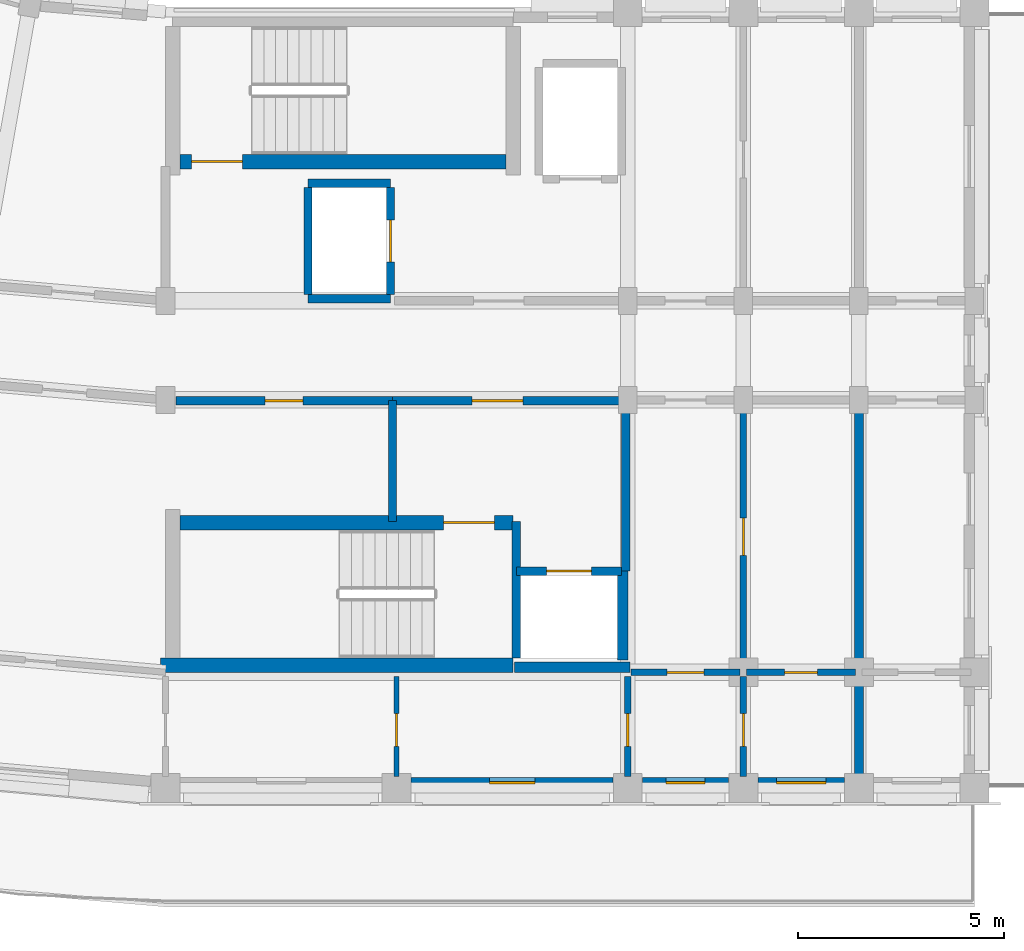
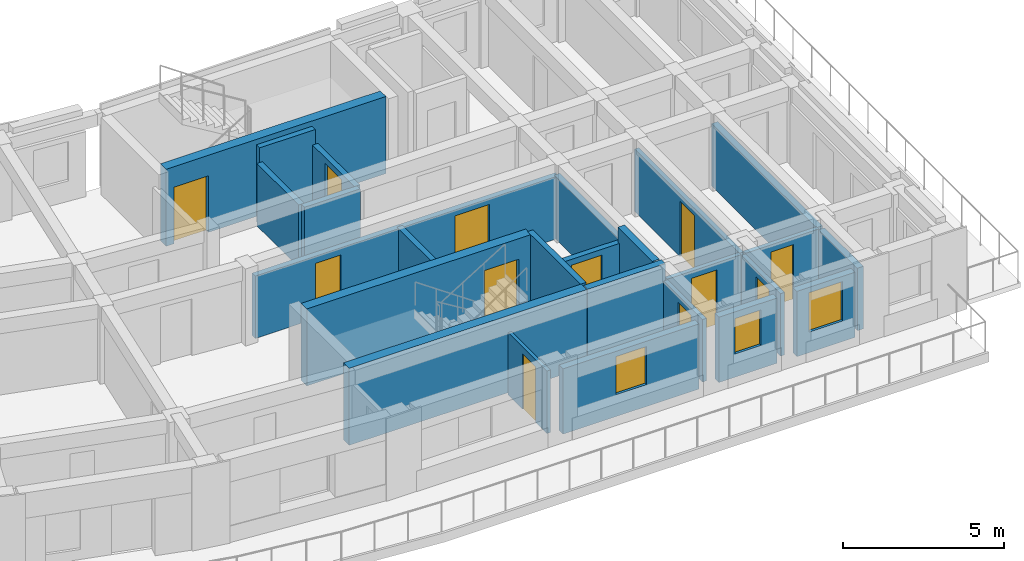
# One storey, part 18 of 54: 26 walls, 12 doors, 3 windows, 15 openings.
"""IFC4 building model written with IfcOpenShell, lengths in metres."""

from ifc_helpers import new_model, si_unit, direction, frame, frame_2d, origin, place, context, subcontext, project, spatial, rectangle, extrude, material, layer, layer_set, type_object, element, fill, save


model = new_model("IFC4")

# Units and contexts
model_context = context("Model", 3, precision=1e-05, world=origin(), true_north=direction((0.0, 1.0)))
body_context = subcontext(model_context, "Body", "Model", "MODEL_VIEW")
ifc_project = project(units=[si_unit("LENGTHUNIT", "METRE"), si_unit("AREAUNIT", "SQUARE_METRE"), si_unit("VOLUMEUNIT", "CUBIC_METRE"), si_unit("PLANEANGLEUNIT", "RADIAN"), si_unit("MASSUNIT", "GRAM", prefix="KILO")], contexts=[model_context])

# Site, building, storey
site_placement = place(None, origin())
site = spatial("IfcSite", under=ifc_project, at=site_placement, CompositionType="ELEMENT")
building_placement = place(site_placement, origin())
building = spatial("IfcBuilding", under=site, at=building_placement, Name="Kiranvali Square Residences", CompositionType="ELEMENT")
storey_placement = place(building_placement, frame((0.0, 0.0, 27.60009765625)))
storey = spatial("IfcBuildingStorey", under=building, at=storey_placement, Name="L08", CompositionType="ELEMENT", Elevation=27.60009765625)

# Walls
ifc_material_1 = material(Name="Autoclaved aerated concrete blockwork masonry", Category="masonry")
ifc_layer_1 = layer(ifc_material_1, 0.219970703125)
ifc_layer_set_1 = layer_set([ifc_layer_1], Name="Autoclaved aerated concrete blockwork masonry")
wall_type_1 = type_object("IfcWallType", Name="WL-DEM-220", PredefinedType="STANDARD", material=ifc_layer_set_1)
wall_1_placement = place(storey_placement, frame((65.0, 19.949951171875, 0.0), z_axis=(0.0, 0.0, 1.0), x_axis=(0.0, -1.0, 0.0)))
element("IfcWall", 1, at=wall_1_placement, inside=storey, type_object=wall_type_1, Name="L08 architectural wall WL-L08-C-A1TO1-2", PredefinedType="STANDARD", context=body_context, shape_type="SweptSolid", body=[
    extrude(rectangle(XDim=6.530029296875, YDim=0.219970703125, at=frame_2d((3.26513671875, 0.0))), origin(), (0.0, 0.0, 1.0), 2.371826171875),
])
wall_2_placement = place(storey_placement, frame((65.0, 13.300048828125, 0.0), z_axis=(0.0, 0.0, 1.0), x_axis=(0.0, -1.0, 0.0)))
element("IfcWall", 2, at=wall_2_placement, inside=storey, type_object=wall_type_1, Name="L08 architectural wall WL-L08-C-A1TO2-2", PredefinedType="STANDARD", context=body_context, shape_type="SweptSolid", body=[
    extrude(rectangle(XDim=2.420166015625, YDim=0.219970703125, at=frame_2d((1.2099609375, 0.0))), origin(), (0.0, 0.0, 1.0), 2.371826171875),
])

# Wall, opening, window
ifc_material_2 = material(Name="Breathable lime-rendered clay brick masonry", Category="masonry")
ifc_layer_2 = layer(ifc_material_2, 0.25)
ifc_layer_set_2 = layer_set([ifc_layer_2], Name="Breathable lime-rendered clay brick masonry")
wall_type_2 = type_object("IfcWallType", Name="WL-EXT-250", PredefinedType="STANDARD", material=ifc_layer_set_2)
wall_3_placement = place(storey_placement, frame((54.153564453125, 10.72509765625, 0.0), z_axis=(0.0, 0.0, 1.0), x_axis=(1.0, 0.0, 0.0)))
wall_3 = element("IfcWall", 3, at=wall_3_placement, inside=storey, type_object=wall_type_2, Name="L08 exterior wall C-L08-A1O-1", PredefinedType="STANDARD", context=body_context, shape_type="SweptSolid", body=[
    extrude(rectangle(XDim=4.892822265625, YDim=0.25, at=frame_2d((2.4462890625, 0.0))), origin(), (0.0, 0.0, 1.0), 2.47998046875),
])
opening_1_placement = place(wall_3_placement, frame((1.896484375, 0.0, 0.830078125)))
opening_1 = element("IfcOpeningElement", 4, at=opening_1_placement, cuts=wall_3, Name="Opening W-15", PredefinedType="OPENING", context=body_context, shape_type="SweptSolid", body=[
    extrude(rectangle(XDim=1.10009765625, YDim=1.449951171875, at=frame_2d((0.550048828125, 0.72509765625))), frame((0.0, 0.135009765625, 0.0), z_axis=(0.0, -1.0, 0.0), x_axis=(1.0, 0.0, 0.0)), (0.0, 0.0, 1.0), 0.27001953125),
])
ifc_material_3 = material(Name="Solar-control low-e double glazing", Category="glass")
window_type_1 = type_object("IfcWindowType", Name="WIN-RES-1100x1450", PartitioningType="SINGLE_PANEL", PredefinedType="WINDOW", material=ifc_material_3)
window_1_placement = place(opening_1_placement, origin())
window_1 = element("IfcWindow", 5, at=window_1_placement, inside=storey, type_object=window_type_1, Name="L08 recessed window C-L08-A1O-1", OverallHeight=1.449951171875, OverallWidth=1.10009765625, PartitioningType="SINGLE_PANEL", PredefinedType="WINDOW", context=body_context, shape_type="SweptSolid", body=[
    extrude(rectangle(XDim=1.10009765625, YDim=1.449951171875, at=frame_2d((0.550048828125, 0.72509765625))), frame((0.0, 0.030029296875, 0.0), z_axis=(0.0, -1.0, 0.0), x_axis=(1.0, 0.0, 0.0)), (0.0, 0.0, 1.0), 0.06005859375),
])
fill(opening_1, window_1)

wall_4_placement = place(storey_placement, frame((59.75341796875, 10.72509765625, 0.0), z_axis=(0.0, 0.0, 1.0), x_axis=(1.0, 0.0, 0.0)))
wall_4 = element("IfcWall", 6, at=wall_4_placement, inside=storey, type_object=wall_type_2, Name="L08 exterior wall C-L08-A1O-2", PredefinedType="STANDARD", context=body_context, shape_type="SweptSolid", body=[
    extrude(rectangle(XDim=2.093017578125, YDim=0.25, at=frame_2d((1.04638671875, 0.0))), origin(), (0.0, 0.0, 1.0), 2.47998046875),
])
opening_2_placement = place(wall_4_placement, frame((0.571533203125, 0.0, 0.8798828125)))
opening_2 = element("IfcOpeningElement", 7, at=opening_2_placement, cuts=wall_4, Name="Opening W-16", PredefinedType="OPENING", context=body_context, shape_type="SweptSolid", body=[
    extrude(rectangle(XDim=0.949951171875, YDim=1.35009765625, at=frame_2d((0.47509765625, 0.675048828125))), frame((0.0, 0.135009765625, 0.0), z_axis=(0.0, -1.0, 0.0), x_axis=(1.0, 0.0, 0.0)), (0.0, 0.0, 1.0), 0.27001953125),
])
window_type_2 = type_object("IfcWindowType", Name="WIN-RES-950x1350", PartitioningType="SINGLE_PANEL", PredefinedType="WINDOW", material=ifc_material_3)
window_2_placement = place(opening_2_placement, origin())
window_2 = element("IfcWindow", 8, at=window_2_placement, inside=storey, type_object=window_type_2, Name="L08 recessed window C-L08-A1O-2", OverallHeight=1.35009765625, OverallWidth=0.949951171875, PartitioningType="SINGLE_PANEL", PredefinedType="WINDOW", context=body_context, shape_type="SweptSolid", body=[
    extrude(rectangle(XDim=0.949951171875, YDim=1.35009765625, at=frame_2d((0.47509765625, 0.675048828125))), frame((0.0, 0.030029296875, 0.0), z_axis=(0.0, -1.0, 0.0), x_axis=(1.0, 0.0, 0.0)), (0.0, 0.0, 1.0), 0.06005859375),
])
fill(opening_2, window_2)

wall_5_placement = place(storey_placement, frame((62.553466796875, 10.72509765625, 0.0), z_axis=(0.0, 0.0, 1.0), x_axis=(1.0, 0.0, 0.0)))
wall_5 = element("IfcWall", 9, at=wall_5_placement, inside=storey, type_object=wall_type_2, Name="L08 exterior wall C-L08-A1O-3", PredefinedType="STANDARD", context=body_context, shape_type="SweptSolid", body=[
    extrude(rectangle(XDim=2.093017578125, YDim=0.25, at=frame_2d((1.04638671875, 0.0))), origin(), (0.0, 0.0, 1.0), 2.47998046875),
])
opening_3_placement = place(wall_5_placement, frame((0.446533203125, 0.0, 0.780029296875)))
opening_3 = element("IfcOpeningElement", 10, at=opening_3_placement, cuts=wall_5, Name="Opening W-06", PredefinedType="OPENING", context=body_context, shape_type="SweptSolid", body=[
    extrude(rectangle(XDim=1.199951171875, YDim=1.5, at=frame_2d((0.60009765625, 0.75))), frame((0.0, 0.135009765625, 0.0), z_axis=(0.0, -1.0, 0.0), x_axis=(1.0, 0.0, 0.0)), (0.0, 0.0, 1.0), 0.27001953125),
])
window_type_3 = type_object("IfcWindowType", Name="WIN-RES-1200x1500", PartitioningType="SINGLE_PANEL", PredefinedType="WINDOW", material=ifc_material_3)
window_3_placement = place(opening_3_placement, origin())
window_3 = element("IfcWindow", 11, at=window_3_placement, inside=storey, type_object=window_type_3, Name="L08 recessed window C-L08-A1O-3", OverallHeight=1.5, OverallWidth=1.199951171875, PartitioningType="SINGLE_PANEL", PredefinedType="WINDOW", context=body_context, shape_type="SweptSolid", body=[
    extrude(rectangle(XDim=1.199951171875, YDim=1.5, at=frame_2d((0.60009765625, 0.75))), frame((0.0, 0.030029296875, 0.0), z_axis=(0.0, -1.0, 0.0), x_axis=(1.0, 0.0, 0.0)), (0.0, 0.0, 1.0), 0.06005859375),
])
fill(opening_3, window_3)

# Wall, opening, door
ifc_layer_3 = layer(ifc_material_1, 0.199951171875)
ifc_layer_set_3 = layer_set([ifc_layer_3], Name="Autoclaved aerated concrete blockwork masonry")
wall_type_3 = type_object("IfcWallType", Name="WL-FFL-200", PredefinedType="STANDARD", material=ifc_layer_set_3)
wall_6_placement = place(storey_placement, frame((53.699951171875, 19.97998046875, 0.0), z_axis=(0.0, 0.0, 1.0), x_axis=(1.0, 0.0, 0.0)))
wall_6 = element("IfcWall", 12, at=wall_6_placement, inside=storey, type_object=wall_type_3, Name="L08 architectural wall WL-L08-C-FF-COR", PredefinedType="STANDARD", context=body_context, shape_type="SweptSolid", body=[
    extrude(rectangle(XDim=5.650146484375, YDim=0.199951171875, at=frame_2d((2.8251953125, 0.0))), origin(), (0.0, 0.0, 1.0), 2.371826171875),
])
opening_4_placement = place(wall_6_placement, frame((1.922607421875, 0.0, 0.0)))
opening_4 = element("IfcOpeningElement", 13, at=opening_4_placement, cuts=wall_6, Name="Opening FD-ST-120", PredefinedType="OPENING", context=body_context, shape_type="SweptSolid", body=[
    extrude(rectangle(XDim=1.239990234375, YDim=2.14990234375, at=frame_2d((0.6201171875, 1.074951171875))), frame((0.0, 0.10986328125, 0.0), z_axis=(0.0, -1.0, 0.0), x_axis=(1.0, 0.0, 0.0)), (0.0, 0.0, 1.0), 0.219970703125),
])
ifc_material_4 = material(Name="Fire-rated acoustic hardwood and mineral-core door assembly", Category="wood")
door_type_1 = type_object("IfcDoorType", Name="DR-FD120-1200", OperationType="NOTDEFINED", PredefinedType="DOOR", material=ifc_material_4)
door_1_placement = place(opening_4_placement, origin())
door_1 = element("IfcDoor", 14, at=door_1_placement, inside=storey, type_object=door_type_1, Name="L08 door DR-L08-2199 (DR-FD120-1200)", OperationType="SINGLE_SWING_LEFT", OverallHeight=2.14990234375, OverallWidth=1.239990234375, PredefinedType="DOOR", context=body_context, shape_type="SweptSolid", body=[
    extrude(rectangle(XDim=1.239990234375, YDim=2.14990234375, at=frame_2d((0.6201171875, 1.074951171875))), frame((0.0, 0.02490234375, 0.0), z_axis=(0.0, -1.0, 0.0), x_axis=(1.0, 0.0, 0.0)), (0.0, 0.0, 1.0), 0.050048828125),
])
fill(opening_4, door_1)

# Walls
wall_7_placement = place(storey_placement, frame((53.699951171875, 19.97998046875, 0.0), z_axis=(0.0, 0.0, 1.0), x_axis=(0.0, -1.0, 0.0)))
element("IfcWall", 15, at=wall_7_placement, inside=storey, type_object=wall_type_3, Name="L08 architectural wall WL-L08-C-FF-DIV", PredefinedType="STANDARD", context=body_context, shape_type="SweptSolid", body=[
    extrude(rectangle(XDim=2.929931640625, YDim=0.199951171875, at=frame_2d((1.46484375, 0.0))), origin(), (0.0, 0.0, 1.0), 2.371826171875),
])
wall_8_placement = place(storey_placement, frame((59.35009765625, 19.97998046875, 0.0), z_axis=(0.0, 0.0, 1.0), x_axis=(0.0, -1.0, 0.0)))
element("IfcWall", 16, at=wall_8_placement, inside=storey, type_object=wall_type_3, Name="L08 architectural wall WL-L08-C-FF-END", PredefinedType="STANDARD", context=body_context, shape_type="SweptSolid", body=[
    extrude(rectangle(XDim=4.1298828125, YDim=0.199951171875, at=frame_2d((2.06494140625, 0.0))), origin(), (0.0, 0.0, 1.0), 2.371826171875),
])

# Wall, opening, door
wall_9_placement = place(storey_placement, frame((56.699951171875, 15.85009765625, 0.0), z_axis=(0.0, 0.0, 1.0), x_axis=(1.0, 0.0, 0.0)))
wall_9 = element("IfcWall", 17, at=wall_9_placement, inside=storey, type_object=wall_type_3, Name="L08 architectural wall WL-L08-C-FF-LFT", PredefinedType="STANDARD", context=body_context, shape_type="SweptSolid", body=[
    extrude(rectangle(XDim=2.550048828125, YDim=0.199951171875, at=frame_2d((1.27490234375, 0.0))), origin(), (0.0, 0.0, 1.0), 2.371826171875),
])
opening_5_placement = place(wall_9_placement, frame((0.72509765625, 0.0, 0.0)))
opening_5 = element("IfcOpeningElement", 18, at=opening_5_placement, cuts=wall_9, Name="Opening LD-FF-110", PredefinedType="OPENING", context=body_context, shape_type="SweptSolid", body=[
    extrude(rectangle(XDim=1.10009765625, YDim=2.14990234375, at=frame_2d((0.550048828125, 1.074951171875))), frame((0.0, 0.10986328125, 0.0), z_axis=(0.0, -1.0, 0.0), x_axis=(1.0, 0.0, 0.0)), (0.0, 0.0, 1.0), 0.219970703125),
])
door_type_2 = type_object("IfcDoorType", Name="DR-LIFT-FF-1100", OperationType="SLIDING_TO_LEFT", PredefinedType="DOOR", material=ifc_material_4)
door_2_placement = place(opening_5_placement, origin())
door_2 = element("IfcDoor", 19, at=door_2_placement, inside=storey, type_object=door_type_2, Name="L08 door DR-L08-2201 (DR-LIFT-FF-1100)", OperationType="SLIDING_TO_LEFT", OverallHeight=2.14990234375, OverallWidth=1.10009765625, PredefinedType="DOOR", context=body_context, shape_type="SweptSolid", body=[
    extrude(rectangle(XDim=1.10009765625, YDim=2.14990234375, at=frame_2d((0.550048828125, 1.074951171875))), frame((0.0, 0.02490234375, 0.0), z_axis=(0.0, -1.0, 0.0), x_axis=(1.0, 0.0, 0.0)), (0.0, 0.0, 1.0), 0.050048828125),
])
fill(opening_5, door_2)

ifc_material_5 = material(Name="Acoustic gypsum board drylined partition", Category="gypsum")
ifc_layer_4 = layer(ifc_material_5, 0.125)
ifc_layer_set_4 = layer_set([ifc_layer_4], Name="Acoustic gypsum board drylined partition")
wall_type_4 = type_object("IfcWallType", Name="WL-PRT-125", PredefinedType="PARTITIONING", material=ifc_layer_set_4)
wall_10_placement = place(storey_placement, frame((53.800048828125, 13.300048828125, 0.0), z_axis=(0.0, 0.0, 1.0), x_axis=(0.0, -1.0, 0.0)))
wall_10 = element("IfcWall", 20, at=wall_10_placement, inside=storey, type_object=wall_type_4, Name="L08 architectural wall WL-L08-C-CF-MID", PredefinedType="PARTITIONING", context=body_context, shape_type="SweptSolid", body=[
    extrude(rectangle(XDim=2.420166015625, YDim=0.125, at=frame_2d((1.2099609375, 0.0))), origin(), (0.0, 0.0, 1.0), 2.371826171875),
])
opening_6_placement = place(wall_10_placement, frame((0.89990234375, 0.0, 0.0)))
opening_6 = element("IfcOpeningElement", 21, at=opening_6_placement, cuts=wall_10, Name="Opening ID-WET", PredefinedType="OPENING", context=body_context, shape_type="SweptSolid", body=[
    extrude(rectangle(XDim=0.800048828125, YDim=2.10009765625, at=frame_2d((0.39990234375, 1.050048828125))), frame((0.0, 0.072509765625, 0.0), z_axis=(0.0, -1.0, 0.0), x_axis=(1.0, 0.0, 0.0)), (0.0, 0.0, 1.0), 0.14501953125),
])
ifc_material_6 = material(Name="Solid seasoned teak hardwood joinery", Category="wood")
door_type_3 = type_object("IfcDoorType", Name="DR-WET-800", OperationType="NOTDEFINED", PredefinedType="DOOR", material=ifc_material_6)
door_3_placement = place(opening_6_placement, frame((0.800048828125, 0.0, 0.0), z_axis=(0.0, 0.0, 1.0), x_axis=(-1.0, 0.0, 0.0)))
door_3 = element("IfcDoor", 22, at=door_3_placement, inside=storey, type_object=door_type_3, Name="L08 door DR-L08-2210 (DR-WET-800)", OperationType="SINGLE_SWING_RIGHT", OverallHeight=2.10009765625, OverallWidth=0.800048828125, PredefinedType="DOOR", context=body_context, shape_type="SweptSolid", body=[
    extrude(rectangle(XDim=0.800048828125, YDim=2.10009765625, at=frame_2d((0.39990234375, 1.050048828125))), frame((0.0, 0.02490234375, 0.0), z_axis=(0.0, -1.0, 0.0), x_axis=(1.0, 0.0, 0.0)), (0.0, 0.0, 1.0), 0.050048828125),
])
fill(opening_6, door_3)

ifc_layer_5 = layer(ifc_material_5, 0.14990234375)
ifc_layer_set_5 = layer_set([ifc_layer_5], Name="Acoustic gypsum board drylined partition")
wall_type_5 = type_object("IfcWallType", Name="WL-PRT-150", PredefinedType="PARTITIONING", material=ifc_layer_set_5)
wall_11_placement = place(storey_placement, frame((59.39990234375, 13.300048828125, 0.0), z_axis=(0.0, 0.0, 1.0), x_axis=(0.0, -1.0, 0.0)))
wall_11 = element("IfcWall", 23, at=wall_11_placement, inside=storey, type_object=wall_type_5, Name="L08 architectural wall WL-L08-C-A1TO2-0", PredefinedType="PARTITIONING", context=body_context, shape_type="SweptSolid", body=[
    extrude(rectangle(XDim=2.420166015625, YDim=0.14990234375, at=frame_2d((1.2099609375, 0.0))), origin(), (0.0, 0.0, 1.0), 2.371826171875),
])
opening_7_placement = place(wall_11_placement, frame((0.89990234375, 0.0, 0.0)))
opening_7 = element("IfcOpeningElement", 24, at=opening_7_placement, cuts=wall_11, Name="Opening ID-WET", PredefinedType="OPENING", context=body_context, shape_type="SweptSolid", body=[
    extrude(rectangle(XDim=0.800048828125, YDim=2.10009765625, at=frame_2d((0.39990234375, 1.050048828125))), frame((0.0, 0.0849609375, 0.0), z_axis=(0.0, -1.0, 0.0), x_axis=(1.0, 0.0, 0.0)), (0.0, 0.0, 1.0), 0.169921875),
])
door_4_placement = place(opening_7_placement, frame((0.800048828125, 0.0, 0.0), z_axis=(0.0, 0.0, 1.0), x_axis=(-1.0, 0.0, 0.0)))
door_4 = element("IfcDoor", 25, at=door_4_placement, inside=storey, type_object=door_type_3, Name="L08 door DR-L08-2218 (DR-WET-800)", OperationType="SINGLE_SWING_RIGHT", OverallHeight=2.10009765625, OverallWidth=0.800048828125, PredefinedType="DOOR", context=body_context, shape_type="SweptSolid", body=[
    extrude(rectangle(XDim=0.800048828125, YDim=2.10009765625, at=frame_2d((0.39990234375, 1.050048828125))), frame((0.0, 0.02490234375, 0.0), z_axis=(0.0, -1.0, 0.0), x_axis=(1.0, 0.0, 0.0)), (0.0, 0.0, 1.0), 0.050048828125),
])
fill(opening_7, door_4)

wall_12_placement = place(storey_placement, frame((62.199951171875, 19.949951171875, 0.0), z_axis=(0.0, 0.0, 1.0), x_axis=(0.0, -1.0, 0.0)))
wall_12 = element("IfcWall", 26, at=wall_12_placement, inside=storey, type_object=wall_type_5, Name="L08 architectural wall WL-L08-C-A1TO1-1", PredefinedType="PARTITIONING", context=body_context, shape_type="SweptSolid", body=[
    extrude(rectangle(XDim=6.530029296875, YDim=0.14990234375, at=frame_2d((3.26513671875, 0.0))), origin(), (0.0, 0.0, 1.0), 2.371826171875),
])
opening_8_placement = place(wall_12_placement, frame((2.81494140625, 0.0, 0.0)))
opening_8 = element("IfcOpeningElement", 27, at=opening_8_placement, cuts=wall_12, Name="Opening ID-1", PredefinedType="OPENING", context=body_context, shape_type="SweptSolid", body=[
    extrude(rectangle(XDim=0.89990234375, YDim=2.10009765625, at=frame_2d((0.449951171875, 1.050048828125))), frame((0.0, 0.0849609375, 0.0), z_axis=(0.0, -1.0, 0.0), x_axis=(1.0, 0.0, 0.0)), (0.0, 0.0, 1.0), 0.169921875),
])
door_type_4 = type_object("IfcDoorType", Name="DR-INT-900", OperationType="NOTDEFINED", PredefinedType="DOOR", material=ifc_material_6)
door_5_placement = place(opening_8_placement, frame((0.89990234375, 0.0, 0.0), z_axis=(0.0, 0.0, 1.0), x_axis=(-1.0, 0.0, 0.0)))
door_5 = element("IfcDoor", 28, at=door_5_placement, inside=storey, type_object=door_type_4, Name="L08 door DR-L08-2220 (DR-INT-900)", OperationType="SINGLE_SWING_RIGHT", OverallHeight=2.10009765625, OverallWidth=0.89990234375, PredefinedType="DOOR", context=body_context, shape_type="SweptSolid", body=[
    extrude(rectangle(XDim=0.89990234375, YDim=2.10009765625, at=frame_2d((0.449951171875, 1.050048828125))), frame((0.0, 0.02490234375, 0.0), z_axis=(0.0, -1.0, 0.0), x_axis=(1.0, 0.0, 0.0)), (0.0, 0.0, 1.0), 0.050048828125),
])
fill(opening_8, door_5)

wall_13_placement = place(storey_placement, frame((62.199951171875, 13.300048828125, 0.0), z_axis=(0.0, 0.0, 1.0), x_axis=(0.0, -1.0, 0.0)))
wall_13 = element("IfcWall", 29, at=wall_13_placement, inside=storey, type_object=wall_type_5, Name="L08 architectural wall WL-L08-C-A1TO2-1", PredefinedType="PARTITIONING", context=body_context, shape_type="SweptSolid", body=[
    extrude(rectangle(XDim=2.420166015625, YDim=0.14990234375, at=frame_2d((1.2099609375, 0.0))), origin(), (0.0, 0.0, 1.0), 2.371826171875),
])
opening_9_placement = place(wall_13_placement, frame((0.89990234375, 0.0, 0.0)))
opening_9 = element("IfcOpeningElement", 30, at=opening_9_placement, cuts=wall_13, Name="Opening ID-WET", PredefinedType="OPENING", context=body_context, shape_type="SweptSolid", body=[
    extrude(rectangle(XDim=0.800048828125, YDim=2.10009765625, at=frame_2d((0.39990234375, 1.050048828125))), frame((0.0, 0.0849609375, 0.0), z_axis=(0.0, -1.0, 0.0), x_axis=(1.0, 0.0, 0.0)), (0.0, 0.0, 1.0), 0.169921875),
])
door_6_placement = place(opening_9_placement, origin())
door_6 = element("IfcDoor", 31, at=door_6_placement, inside=storey, type_object=door_type_3, Name="L08 door DR-L08-2221 (DR-WET-800)", OperationType="SINGLE_SWING_LEFT", OverallHeight=2.10009765625, OverallWidth=0.800048828125, PredefinedType="DOOR", context=body_context, shape_type="SweptSolid", body=[
    extrude(rectangle(XDim=0.800048828125, YDim=2.10009765625, at=frame_2d((0.39990234375, 1.050048828125))), frame((0.0, 0.02490234375, 0.0), z_axis=(0.0, -1.0, 0.0), x_axis=(1.0, 0.0, 0.0)), (0.0, 0.0, 1.0), 0.050048828125),
])
fill(opening_9, door_6)

ifc_layer_6 = layer(ifc_material_1, 0.199951171875)
ifc_layer_set_6 = layer_set([ifc_layer_6], Name="Autoclaved aerated concrete blockwork masonry")
wall_type_6 = type_object("IfcWallType", Name="WL-SHF-200", PredefinedType="STANDARD", material=ifc_layer_set_6)
wall_14_placement = place(storey_placement, frame((48.449951171875, 19.97998046875, 0.0), z_axis=(0.0, 0.0, 1.0), x_axis=(1.0, 0.0, 0.0)))
wall_14 = element("IfcWall", 32, at=wall_14_placement, inside=storey, type_object=wall_type_6, Name="L08 architectural wall WL-L08-C-RSR-COR", PredefinedType="STANDARD", context=body_context, shape_type="SweptSolid", body=[
    extrude(rectangle(XDim=5.25, YDim=0.199951171875, at=frame_2d((2.625, 0.0))), origin(), (0.0, 0.0, 1.0), 2.371826171875),
])
opening_10_placement = place(wall_14_placement, frame((2.1650390625, 0.0, 0.0)))
opening_10 = element("IfcOpeningElement", 33, at=opening_10_placement, cuts=wall_14, Name="Opening FD-SVC-120", PredefinedType="OPENING", context=body_context, shape_type="SweptSolid", body=[
    extrude(rectangle(XDim=0.919921875, YDim=2.10009765625, at=frame_2d((0.4599609375, 1.050048828125))), frame((0.0, 0.10986328125, 0.0), z_axis=(0.0, -1.0, 0.0), x_axis=(1.0, 0.0, 0.0)), (0.0, 0.0, 1.0), 0.219970703125),
])
door_type_5 = type_object("IfcDoorType", Name="DR-SVC-900", OperationType="NOTDEFINED", PredefinedType="DOOR", material=ifc_material_4)
door_7_placement = place(opening_10_placement, frame((0.919921875, 0.0, 0.0), z_axis=(0.0, 0.0, 1.0), x_axis=(-1.0, 0.0, 0.0)))
door_7 = element("IfcDoor", 34, at=door_7_placement, inside=storey, type_object=door_type_5, Name="L08 door DR-L08-2200 (DR-SVC-900)", OperationType="SINGLE_SWING_RIGHT", OverallHeight=2.10009765625, OverallWidth=0.919921875, PredefinedType="DOOR", context=body_context, shape_type="SweptSolid", body=[
    extrude(rectangle(XDim=0.919921875, YDim=2.10009765625, at=frame_2d((0.4599609375, 1.050048828125))), frame((0.0, 0.02490234375, 0.0), z_axis=(0.0, -1.0, 0.0), x_axis=(1.0, 0.0, 0.0)), (0.0, 0.0, 1.0), 0.050048828125),
])
fill(opening_10, door_7)

# Walls
wall_15_placement = place(storey_placement, frame((56.699951171875, 17.050048828125, 0.0), z_axis=(0.0, 0.0, 1.0), x_axis=(0.0, -1.0, 0.0)))
element("IfcWall", 35, at=wall_15_placement, inside=storey, type_object=wall_type_6, Name="L08 architectural wall WL-L08-C-FF-SHF", PredefinedType="STANDARD", context=body_context, shape_type="SweptSolid", body=[
    extrude(rectangle(XDim=3.300048828125, YDim=0.199951171875, at=frame_2d((1.64990234375, 0.0))), origin(), (0.0, 0.0, 1.0), 2.929931640625),
])
wall_16_placement = place(storey_placement, frame((51.64990234375, 25.25, 0.0), z_axis=(0.0, 0.0, 1.0), x_axis=(1.0, 0.0, 0.0)))
element("IfcWall", 36, at=wall_16_placement, inside=storey, type_object=wall_type_6, Name="L08 architectural wall WL-L08-C-LP2-S0", PredefinedType="STANDARD", context=body_context, shape_type="SweptSolid", body=[
    extrude(rectangle(XDim=2.0, YDim=0.199951171875, at=frame_2d((1.0, 0.0))), origin(), (0.0, 0.0, 1.0), 2.929931640625),
])
wall_17_placement = place(storey_placement, frame((51.64990234375, 22.449951171875, 0.0), z_axis=(0.0, 0.0, 1.0), x_axis=(1.0, 0.0, 0.0)))
element("IfcWall", 37, at=wall_17_placement, inside=storey, type_object=wall_type_6, Name="L08 architectural wall WL-L08-C-LP2-B", PredefinedType="STANDARD", context=body_context, shape_type="SweptSolid", body=[
    extrude(rectangle(XDim=2.0, YDim=0.199951171875, at=frame_2d((1.0, 0.0))), origin(), (0.0, 0.0, 1.0), 2.371826171875),
])
wall_18_placement = place(storey_placement, frame((51.64990234375, 25.14990234375, 0.0), z_axis=(0.0, 0.0, 1.0), x_axis=(0.0, -1.0, 0.0)))
element("IfcWall", 38, at=wall_18_placement, inside=storey, type_object=wall_type_6, Name="L08 architectural wall WL-L08-C-LP2-S1", PredefinedType="STANDARD", context=body_context, shape_type="SweptSolid", body=[
    extrude(rectangle(XDim=2.599853515625, YDim=0.199951171875, at=frame_2d((1.2998046875, 0.0))), origin(), (0.0, 0.0, 1.0), 2.371826171875),
])

# Wall, opening, door
wall_19_placement = place(storey_placement, frame((53.64990234375, 25.14990234375, 0.0), z_axis=(0.0, 0.0, 1.0), x_axis=(0.0, -1.0, 0.0)))
wall_19 = element("IfcWall", 39, at=wall_19_placement, inside=storey, type_object=wall_type_6, Name="L08 architectural wall WL-L08-C-LP2-F", PredefinedType="STANDARD", context=body_context, shape_type="SweptSolid", body=[
    extrude(rectangle(XDim=2.599853515625, YDim=0.199951171875, at=frame_2d((1.2998046875, 0.0))), origin(), (0.0, 0.0, 1.0), 2.371826171875),
])
opening_11_placement = place(wall_19_placement, frame((0.7900390625, 0.0, 0.0)))
opening_11 = element("IfcOpeningElement", 40, at=opening_11_placement, cuts=wall_19, Name="Opening LD-PAX-100", PredefinedType="OPENING", context=body_context, shape_type="SweptSolid", body=[
    extrude(rectangle(XDim=1.02001953125, YDim=2.14990234375, at=frame_2d((0.510009765625, 1.074951171875))), frame((0.0, 0.10986328125, 0.0), z_axis=(0.0, -1.0, 0.0), x_axis=(1.0, 0.0, 0.0)), (0.0, 0.0, 1.0), 0.219970703125),
])
door_type_6 = type_object("IfcDoorType", Name="DR-LIFT-1000", OperationType="SLIDING_TO_RIGHT", PredefinedType="DOOR", material=ifc_material_4)
door_8_placement = place(opening_11_placement, origin())
door_8 = element("IfcDoor", 41, at=door_8_placement, inside=storey, type_object=door_type_6, Name="L08 door DR-L08-2206 (DR-LIFT-1000)", OperationType="SLIDING_TO_RIGHT", OverallHeight=2.14990234375, OverallWidth=1.02001953125, PredefinedType="DOOR", context=body_context, shape_type="SweptSolid", body=[
    extrude(rectangle(XDim=1.02001953125, YDim=2.14990234375, at=frame_2d((0.510009765625, 1.074951171875))), frame((0.0, 0.02490234375, 0.0), z_axis=(0.0, -1.0, 0.0), x_axis=(1.0, 0.0, 0.0)), (0.0, 0.0, 1.0), 0.050048828125),
])
fill(opening_11, door_8)

# Walls
ifc_material_7 = material(Name="Concrete M45 (45 MPa)", Category="concrete")
ifc_layer_7 = layer(ifc_material_7, 0.25)
ifc_layer_set_7 = layer_set([ifc_layer_7], Name="Concrete M45 (45 MPa)")
wall_type_7 = type_object("IfcWallType", Name="WL-SHR-250", PredefinedType="SHEAR", material=ifc_layer_set_7)
wall_20_placement = place(storey_placement, frame((56.64990234375, 13.52490234375, 0.0), z_axis=(0.0, 0.0, 1.0), x_axis=(1.0, 0.0, 0.0)))
element("IfcWall", 42, at=wall_20_placement, inside=storey, type_object=wall_type_7, Name="Block C core shear wall SW-CFF-BK-L08", PredefinedType="SHEAR", context=body_context, shape_type="SweptSolid", body=[
    extrude(rectangle(XDim=2.800048828125, YDim=0.25, at=frame_2d((1.39990234375, 0.0))), origin(), (0.0, 0.0, 1.0), 2.929931640625),
])
wall_21_placement = place(storey_placement, frame((59.27490234375, 15.85009765625, 0.0), z_axis=(0.0, 0.0, 1.0), x_axis=(0.0, -1.0, 0.0)))
element("IfcWall", 43, at=wall_21_placement, inside=storey, type_object=wall_type_7, Name="Block C core shear wall SW-CFF-SD-L08", PredefinedType="SHEAR", context=body_context, shape_type="SweptSolid", body=[
    extrude(rectangle(XDim=2.150146484375, YDim=0.25, at=frame_2d((1.0751953125, 0.0))), origin(), (0.0, 0.0, 1.0), 2.929931640625),
])
ifc_layer_8 = layer(ifc_material_7, 0.320068359375)
ifc_layer_set_8 = layer_set([ifc_layer_8], Name="Concrete M45 (45 MPa)")
wall_type_8 = type_object("IfcWallType", Name="WL-SHR-320", PredefinedType="SHEAR", material=ifc_layer_set_8)
wall_22_placement = place(storey_placement, frame((48.080078125, 13.574951171875, 0.0), z_axis=(0.0, 0.0, 1.0), x_axis=(1.0, 0.0, 0.0)))
element("IfcWall", 44, at=wall_22_placement, inside=storey, type_object=wall_type_8, Name="Block C core shear wall SW-C1-OUT-L08", PredefinedType="SHEAR", context=body_context, shape_type="SweptSolid", body=[
    extrude(rectangle(XDim=8.544921875, YDim=0.35009765625, at=frame_2d((4.2724609375, 0.0))), origin(), (0.0, 0.0, 1.0), 2.929931640625),
])

# Wall, opening, door
wall_23_placement = place(storey_placement, frame((48.550048828125, 17.02490234375, 0.0), z_axis=(0.0, 0.0, 1.0), x_axis=(1.0, 0.0, 0.0)))
wall_23 = element("IfcWall", 45, at=wall_23_placement, inside=storey, type_object=wall_type_8, Name="Block C core shear wall SW-C1-IN-L08", PredefinedType="SHEAR", context=body_context, shape_type="SweptSolid", body=[
    extrude(rectangle(XDim=8.074951171875, YDim=0.35009765625, at=frame_2d((4.03759765625, 0.0))), origin(), (0.0, 0.0, 1.0), 2.929931640625),
])
opening_12_placement = place(wall_23_placement, frame((6.3798828125, 0.0, 0.0)))
opening_12 = element("IfcOpeningElement", 46, at=opening_12_placement, cuts=wall_23, Name="Opening FD-ST-120", PredefinedType="OPENING", context=body_context, shape_type="SweptSolid", body=[
    extrude(rectangle(XDim=1.239990234375, YDim=2.14990234375, at=frame_2d((0.6201171875, 1.074951171875))), frame((0.0, 0.18505859375, 0.0), z_axis=(0.0, -1.0, 0.0), x_axis=(1.0, 0.0, 0.0)), (0.0, 0.0, 1.0), 0.3701171875),
])
door_9_placement = place(opening_12_placement, frame((1.239990234375, 0.0, 0.0), z_axis=(0.0, 0.0, 1.0), x_axis=(-1.0, 0.0, 0.0)))
door_9 = element("IfcDoor", 47, at=door_9_placement, inside=storey, type_object=door_type_1, Name="L08 door DR-L08-2202 (DR-FD120-1200)", OperationType="SINGLE_SWING_RIGHT", OverallHeight=2.14990234375, OverallWidth=1.239990234375, PredefinedType="DOOR", context=body_context, shape_type="SweptSolid", body=[
    extrude(rectangle(XDim=1.239990234375, YDim=2.14990234375, at=frame_2d((0.6201171875, 1.074951171875))), frame((0.0, 0.02490234375, 0.0), z_axis=(0.0, -1.0, 0.0), x_axis=(1.0, 0.0, 0.0)), (0.0, 0.0, 1.0), 0.050048828125),
])
fill(opening_12, door_9)

wall_24_placement = place(storey_placement, frame((48.550048828125, 25.77490234375, 0.0), z_axis=(0.0, 0.0, 1.0), x_axis=(1.0, 0.0, 0.0)))
wall_24 = element("IfcWall", 48, at=wall_24_placement, inside=storey, type_object=wall_type_8, Name="Block C core shear wall SW-C2-IN-L08", PredefinedType="SHEAR", context=body_context, shape_type="SweptSolid", body=[
    extrude(rectangle(XDim=7.89990234375, YDim=0.35009765625, at=frame_2d((3.949951171875, 0.0))), origin(), (0.0, 0.0, 1.0), 2.929931640625),
])
opening_13_placement = place(wall_24_placement, frame((0.280029296875, 0.0, 0.0)))
opening_13 = element("IfcOpeningElement", 49, at=opening_13_placement, cuts=wall_24, Name="Opening FD-ST-120", PredefinedType="OPENING", context=body_context, shape_type="SweptSolid", body=[
    extrude(rectangle(XDim=1.239990234375, YDim=2.14990234375, at=frame_2d((0.6201171875, 1.074951171875))), frame((0.0, 0.18505859375, 0.0), z_axis=(0.0, -1.0, 0.0), x_axis=(1.0, 0.0, 0.0)), (0.0, 0.0, 1.0), 0.3701171875),
])
door_10_placement = place(opening_13_placement, origin())
door_10 = element("IfcDoor", 50, at=door_10_placement, inside=storey, type_object=door_type_1, Name="L08 door DR-L08-2203 (DR-FD120-1200)", OperationType="SINGLE_SWING_LEFT", OverallHeight=2.14990234375, OverallWidth=1.239990234375, PredefinedType="DOOR", context=body_context, shape_type="SweptSolid", body=[
    extrude(rectangle(XDim=1.239990234375, YDim=2.14990234375, at=frame_2d((0.6201171875, 1.074951171875))), frame((0.0, 0.02490234375, 0.0), z_axis=(0.0, -1.0, 0.0), x_axis=(1.0, 0.0, 0.0)), (0.0, 0.0, 1.0), 0.050048828125),
])
fill(opening_13, door_10)

ifc_layer_9 = layer(ifc_material_1, 0.14990234375)
ifc_layer_set_9 = layer_set([ifc_layer_9], Name="Autoclaved aerated concrete blockwork masonry")
wall_type_9 = type_object("IfcWallType", Name="WL-WET-150", PredefinedType="PLUMBINGWALL", material=ifc_layer_set_9)
wall_25_placement = place(storey_placement, frame((59.47998046875, 13.39990234375, 0.0), z_axis=(0.0, 0.0, 1.0), x_axis=(1.0, 0.0, 0.0)))
wall_25 = element("IfcWall", 51, at=wall_25_placement, inside=storey, type_object=wall_type_9, Name="L08 architectural wall WL-L08-C-A1SP-0", PredefinedType="PLUMBINGWALL", context=body_context, shape_type="SweptSolid", body=[
    extrude(rectangle(XDim=2.64013671875, YDim=0.14990234375, at=frame_2d((1.320068359375, 0.0))), origin(), (0.0, 0.0, 1.0), 2.371826171875),
])
opening_14_placement = place(wall_25_placement, frame((0.8701171875, 0.0, 0.0)))
opening_14 = element("IfcOpeningElement", 52, at=opening_14_placement, cuts=wall_25, Name="Opening ID-1", PredefinedType="OPENING", context=body_context, shape_type="SweptSolid", body=[
    extrude(rectangle(XDim=0.89990234375, YDim=2.10009765625, at=frame_2d((0.449951171875, 1.050048828125))), frame((0.0, 0.0849609375, 0.0), z_axis=(0.0, -1.0, 0.0), x_axis=(1.0, 0.0, 0.0)), (0.0, 0.0, 1.0), 0.169921875),
])
door_11_placement = place(opening_14_placement, frame((0.89990234375, 0.0, 0.0), z_axis=(0.0, 0.0, 1.0), x_axis=(-1.0, 0.0, 0.0)))
door_11 = element("IfcDoor", 53, at=door_11_placement, inside=storey, type_object=door_type_4, Name="L08 door DR-L08-2212 (DR-INT-900)", OperationType="SINGLE_SWING_RIGHT", OverallHeight=2.10009765625, OverallWidth=0.89990234375, PredefinedType="DOOR", context=body_context, shape_type="SweptSolid", body=[
    extrude(rectangle(XDim=0.89990234375, YDim=2.10009765625, at=frame_2d((0.449951171875, 1.050048828125))), frame((0.0, 0.02490234375, 0.0), z_axis=(0.0, -1.0, 0.0), x_axis=(1.0, 0.0, 0.0)), (0.0, 0.0, 1.0), 0.050048828125),
])
fill(opening_14, door_11)

wall_26_placement = place(storey_placement, frame((62.280029296875, 13.39990234375, 0.0), z_axis=(0.0, 0.0, 1.0), x_axis=(1.0, 0.0, 0.0)))
wall_26 = element("IfcWall", 54, at=wall_26_placement, inside=storey, type_object=wall_type_9, Name="L08 architectural wall WL-L08-C-A1SP-1", PredefinedType="PLUMBINGWALL", context=body_context, shape_type="SweptSolid", body=[
    extrude(rectangle(XDim=2.639892578125, YDim=0.14990234375, at=frame_2d((1.31982421875, 0.0))), origin(), (0.0, 0.0, 1.0), 2.371826171875),
])
opening_15_placement = place(wall_26_placement, frame((0.919921875, 0.0, 0.0)))
opening_15 = element("IfcOpeningElement", 55, at=opening_15_placement, cuts=wall_26, Name="Opening ID-WET", PredefinedType="OPENING", context=body_context, shape_type="SweptSolid", body=[
    extrude(rectangle(XDim=0.800048828125, YDim=2.10009765625, at=frame_2d((0.39990234375, 1.050048828125))), frame((0.0, 0.0849609375, 0.0), z_axis=(0.0, -1.0, 0.0), x_axis=(1.0, 0.0, 0.0)), (0.0, 0.0, 1.0), 0.169921875),
])
door_12_placement = place(opening_15_placement, frame((0.800048828125, 0.0, 0.0), z_axis=(0.0, 0.0, 1.0), x_axis=(-1.0, 0.0, 0.0)))
door_12 = element("IfcDoor", 56, at=door_12_placement, inside=storey, type_object=door_type_3, Name="L08 door DR-L08-2214 (DR-WET-800)", OperationType="SINGLE_SWING_RIGHT", OverallHeight=2.10009765625, OverallWidth=0.800048828125, PredefinedType="DOOR", context=body_context, shape_type="SweptSolid", body=[
    extrude(rectangle(XDim=0.800048828125, YDim=2.10009765625, at=frame_2d((0.39990234375, 1.050048828125))), frame((0.0, 0.02490234375, 0.0), z_axis=(0.0, -1.0, 0.0), x_axis=(1.0, 0.0, 0.0)), (0.0, 0.0, 1.0), 0.050048828125),
])
fill(opening_15, door_12)

save(model, "model.ifc")
